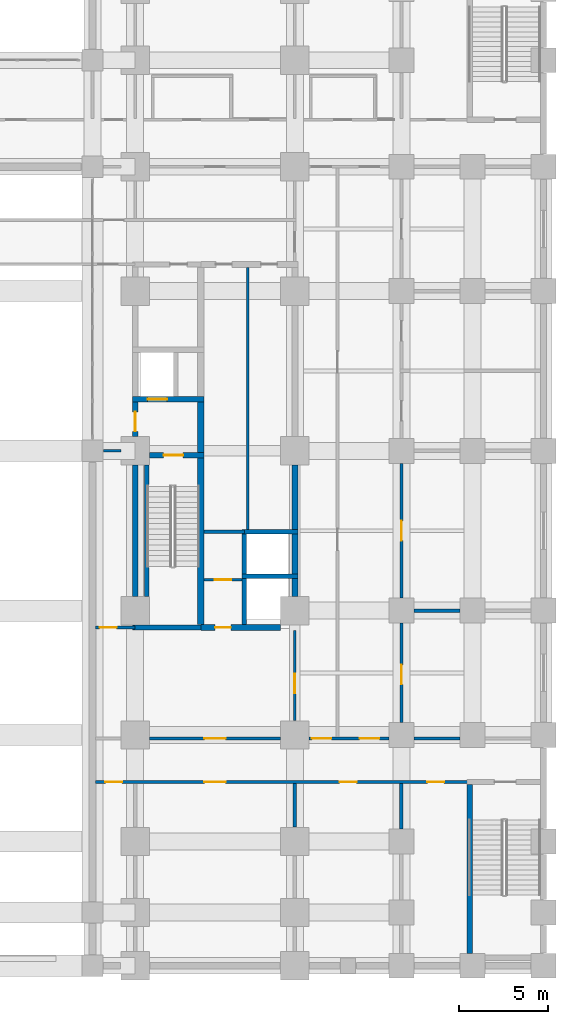
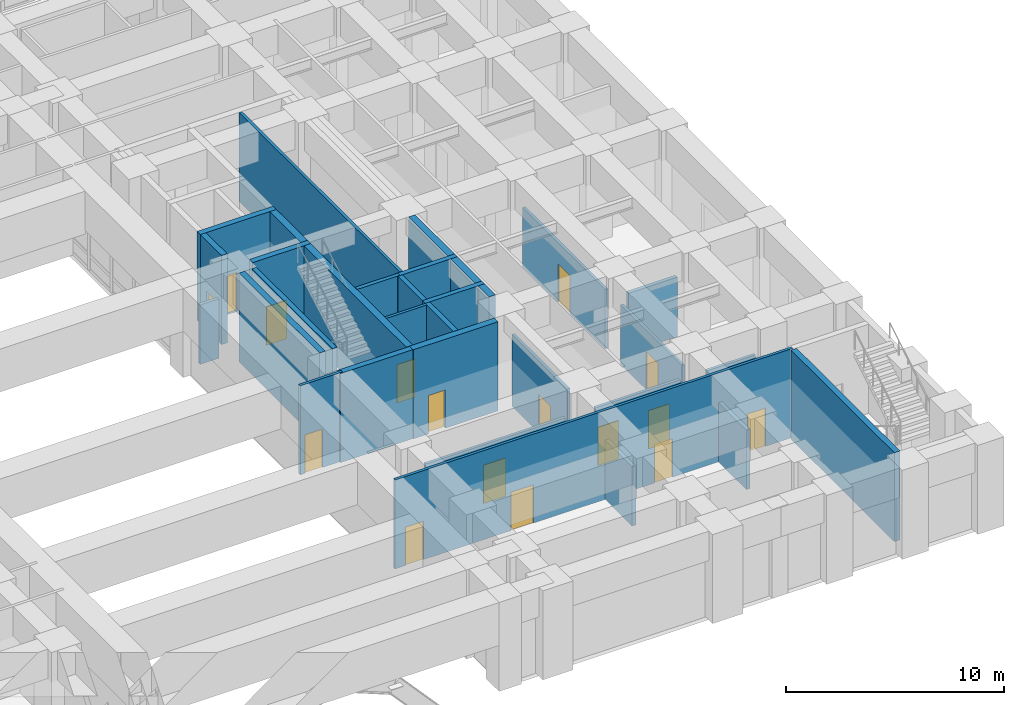
# One storey, part 13 of 24: 32 walls, 16 doors, 16 openings.
"""IFC4 building model written with IfcOpenShell, lengths in metres."""

import ifcopenshell
import ifcopenshell.guid

model = None  # the IFC model being written
_history = None  # IfcOwnerHistory: only IFC2X3 demands one
_inside = {}  # id of a spatial element -> (the spatial element, [elements in it])
_under = {}  # id of a project, library or spatial element -> (it, [spatial elements below it])
_declared = {}  # id of a project -> (the project, [libraries it declares])
_typed = {}  # id of a type object -> (the type object, [elements of that type])
_made_of = {}  # id of a material, layer set ... -> (it, [elements and type objects made of it])


def new_model(schema):
    """Start an empty IFC model of exactly this schema.

    Asked for "IFC4X3", IfcOpenShell would pick the latest addendum, in which some entities
    have other attributes; the version numbers below select the first issue.
    IFC2X3 requires an IfcOwnerHistory on every rooted entity: one is made here for all.
    """
    global model, _history
    if schema == "IFC4X3":
        model = ifcopenshell.file(schema_version=(4, 3, 0, 0))
    else:
        model = ifcopenshell.file(schema=schema)
    _inside.clear()
    _under.clear()
    _declared.clear()
    _typed.clear()
    _made_of.clear()
    _history = None
    if model.schema == "IFC2X3":
        org = make("IfcOrganization", Name="unknown")
        user = make(
            "IfcPersonAndOrganization",
            ThePerson=make("IfcPerson", FamilyName="unknown"),
            TheOrganization=org,
        )
        app = make(
            "IfcApplication",
            ApplicationDeveloper=org,
            Version="unknown",
            ApplicationFullName="unknown",
            ApplicationIdentifier="unknown",
        )
        _history = make(
            "IfcOwnerHistory",
            OwningUser=user,
            OwningApplication=app,
            ChangeAction="ADDED",
            CreationDate=0,
        )
    return model


def make(cls, **values):
    """One entity of the class cls with the attributes given. An attribute that is None is left unset."""
    return model.create_entity(
        cls, **{name: value for name, value in values.items() if value is not None}
    )


def rooted(cls, **values):
    """An entity with a GlobalId (a new one), such as an element, a storey or a relation."""
    return make(cls, GlobalId=ifcopenshell.guid.new(), OwnerHistory=_history, **values)


def si_unit(unit_type, name, prefix=None):
    """IfcSIUnit, for example si_unit("LENGTHUNIT", "METRE", prefix="MILLI")."""
    return make("IfcSIUnit", UnitType=unit_type, Prefix=prefix, Name=name)


def assignment(units):
    """IfcUnitAssignment: the units of a project."""
    return None if units is None else make("IfcUnitAssignment", Units=units)


def point(xyz):
    """IfcCartesianPoint."""
    return None if xyz is None else make("IfcCartesianPoint", Coordinates=xyz)


def direction(xyz):
    """IfcDirection."""
    return None if xyz is None else make("IfcDirection", DirectionRatios=xyz)


def frame(location, z_axis=None, x_axis=None):
    """IfcAxis2Placement3D, a coordinate frame: its origin and axes. An axis left out is left unset."""
    return make(
        "IfcAxis2Placement3D",
        Location=point(location),
        Axis=direction(z_axis),
        RefDirection=direction(x_axis),
    )


def frame_2d(location, x_axis=None):
    """IfcAxis2Placement2D, a coordinate frame in the plane: its origin and x axis."""
    return make(
        "IfcAxis2Placement2D", Location=point(location), RefDirection=direction(x_axis)
    )


def origin():
    """The frame at (0, 0, 0) with its axes left unset."""
    return frame((0.0, 0.0, 0.0))


def place(relative_to, where):
    """IfcLocalPlacement: puts the frame where relative to a parent placement (None: the world)."""
    return make(
        "IfcLocalPlacement", PlacementRelTo=relative_to, RelativePlacement=where
    )


def context(
    kind, dimensions, precision=None, world=None, true_north=None, identifier=None
):
    """IfcGeometricRepresentationContext, for example the 3D "Model" context."""
    return make(
        "IfcGeometricRepresentationContext",
        ContextIdentifier=identifier,
        ContextType=kind,
        CoordinateSpaceDimension=dimensions,
        Precision=precision,
        WorldCoordinateSystem=world,
        TrueNorth=true_north,
    )


def subcontext(parent, identifier, kind, view, scale=None):
    """IfcGeometricRepresentationSubContext, for example "Body" below "Model"."""
    return make(
        "IfcGeometricRepresentationSubContext",
        ContextIdentifier=identifier,
        ContextType=kind,
        ParentContext=parent,
        TargetScale=scale,
        TargetView=view,
    )


def project(units=None, contexts=None):
    """IfcProject with its units and contexts."""
    return rooted(
        "IfcProject",
        Name="project",
        RepresentationContexts=contexts,
        UnitsInContext=assignment(units),
    )


def spatial(cls, under=None, at=None, **own):
    """A site, building, storey or space (cls), placed at a placement, below another one or the project."""
    s = rooted(cls, ObjectPlacement=at, **own)
    if under is not None:
        _under.setdefault(under.id(), (under, []))[1].append(s)
    return s


def profile(cls, at=None, kind="AREA", **sizes):
    """A parametric profile (cls). Its sizes go by their IFC names, for example OverallWidth=200.0."""
    return make(cls, ProfileType=kind, Position=at, **sizes)


def rectangle(**sizes):
    """IfcRectangleProfileDef."""
    return profile("IfcRectangleProfileDef", **sizes)


def extrude(swept, where, along, depth):
    """IfcExtrudedAreaSolid: the profile swept, set in the frame where, extruded along a direction by depth."""
    return make(
        "IfcExtrudedAreaSolid",
        SweptArea=swept,
        Position=where,
        ExtrudedDirection=direction(along),
        Depth=depth,
    )


def shape(context_of_items, identifier, shape_type, items):
    """IfcShapeRepresentation: the items that make up one representation, for example the "Body"."""
    return make(
        "IfcShapeRepresentation",
        ContextOfItems=context_of_items,
        RepresentationIdentifier=identifier,
        RepresentationType=shape_type,
        Items=items,
    )


def material(Name=None, Category=None):
    """IfcMaterial."""
    return make("IfcMaterial", Name=Name, Category=Category)


def layer(
    of_material, thickness, ventilated=None, Name=None, Category=None, Priority=None
):
    """IfcMaterialLayer: one layer of a wall or slab, of a material (None: an air gap)."""
    return make(
        "IfcMaterialLayer",
        Material=of_material,
        LayerThickness=thickness,
        IsVentilated=ventilated,
        Name=Name,
        Category=Category,
        Priority=Priority,
    )


def layer_set(layers, Name=None):
    """IfcMaterialLayerSet."""
    return make("IfcMaterialLayerSet", MaterialLayers=layers, LayerSetName=Name)


def made_of(thing, what):
    """Note that an element or type object is made of a material, layer set ...; save() writes the relation."""
    if what is not None:
        _made_of.setdefault(what.id(), (what, []))[1].append(thing)
    return thing


def type_object(cls, material=None, **own):
    """A type object (cls), such as IfcWallType, which elements share."""
    return made_of(rooted(cls, **own), material)


def element(
    cls,
    number,
    at=None,
    inside=None,
    cuts=None,
    type_object=None,
    material=None,
    context=None,
    identifier="Body",
    shape_type=None,
    held_by="IfcProductDefinitionShape",
    body=None,
    shapes=None,
    **own,
):
    """One element of the class cls, such as IfcWall. Its Tag is "e" and its number.

    at: its placement. inside: the storey or other place that contains it. cuts: it is an
    opening in that element (IfcRelVoidsElement). A single representation is given by context,
    identifier, shape_type and body (its items); several are given by shapes. held_by: the class
    of the entity that holds the representations. save() writes the other relations.
    """
    e = rooted(cls, Tag="e%d" % number, ObjectPlacement=at, **own)
    if body is not None:
        shapes = [shape(context, identifier, shape_type, body)]
    if shapes is not None:
        e.Representation = make(held_by, Representations=shapes)
    if inside is not None:
        _inside.setdefault(inside.id(), (inside, []))[1].append(e)
    if cuts is not None:
        rooted(
            "IfcRelVoidsElement", RelatingBuildingElement=cuts, RelatedOpeningElement=e
        )
    if type_object is not None:
        _typed.setdefault(type_object.id(), (type_object, []))[1].append(e)
    return made_of(e, material)


def fill(opening, filler):
    """IfcRelFillsElement: the door or window that sits in an opening."""
    return rooted(
        "IfcRelFillsElement",
        RelatingOpeningElement=opening,
        RelatedBuildingElement=filler,
    )


def aggregate(whole, parts):
    """IfcRelAggregates: a whole, such as a stair, and the parts it consists of."""
    return rooted("IfcRelAggregates", RelatingObject=whole, RelatedObjects=parts)


def save(model, path):
    """Write the relations noted so far, then the file.

    IfcRelAggregates (storeys below a building ...), IfcRelContainedInSpatialStructure (elements
    in a storey), IfcRelDefinesByType, IfcRelAssociatesMaterial and IfcRelDeclares: one each for
    every whole, place, type object, material and project.
    """
    for whole, parts in _under.values():
        aggregate(whole, parts)
    for where, things in _inside.values():
        rooted(
            "IfcRelContainedInSpatialStructure",
            RelatedElements=things,
            RelatingStructure=where,
        )
    for kind, things in _typed.values():
        rooted("IfcRelDefinesByType", RelatedObjects=things, RelatingType=kind)
    for what, things in _made_of.values():
        rooted("IfcRelAssociatesMaterial", RelatedObjects=things, RelatingMaterial=what)
    for by, libraries in _declared.values():
        rooted("IfcRelDeclares", RelatingContext=by, RelatedDefinitions=libraries)
    model.write(path)


model = new_model("IFC4")

# Units and contexts
model_context = context("Model", 3, precision=1e-05, world=origin(), true_north=direction((0.0, 1.0)))
body_context = subcontext(model_context, "Body", "Model", "MODEL_VIEW")
ifc_project = project(units=[si_unit("LENGTHUNIT", "METRE"), si_unit("AREAUNIT", "SQUARE_METRE"), si_unit("VOLUMEUNIT", "CUBIC_METRE"), si_unit("PLANEANGLEUNIT", "RADIAN"), si_unit("MASSUNIT", "GRAM", prefix="KILO")], contexts=[model_context])

# Site, building, storey
site_placement = place(None, origin())
site = spatial("IfcSite", under=ifc_project, at=site_placement, CompositionType="ELEMENT")
building_placement = place(site_placement, origin())
building = spatial("IfcBuilding", under=site, at=building_placement, Name="Zulmaris Gate Convention Tower", CompositionType="ELEMENT")
storey_placement = place(building_placement, frame((0.0, 0.0, 16.320068359375)))
storey = spatial("IfcBuildingStorey", under=building, at=storey_placement, Name="L03", CompositionType="ELEMENT", Elevation=16.320068359375)

# Walls
ifc_material_1 = material(Name="Concrete C50/60", Category="concrete")
ifc_layer_1 = layer(ifc_material_1, 0.25, Name="Concrete C50/60")
ifc_layer_set_1 = layer_set([ifc_layer_1], Name="Concrete C50/60")
wall_type_1 = type_object("IfcWallType", Name="CORE-250", PredefinedType="SOLIDWALL", material=ifc_layer_set_1)
for number, where, z_axis, x_axis, name in (
    (1, (17.02490234375, -7.050048828125, 0.0), (0.0, 0.0, 1.0), (1.0, 0.0, 0.0), "WL-L03-010"),
    (2, (17.02490234375, -4.550048828125, 0.0), (0.0, 0.0, 1.0), (1.0, 0.0, 0.0), "WL-L03-012"),
):
    element("IfcWall", number, at=place(storey_placement, frame(where, z_axis=z_axis, x_axis=x_axis)), inside=storey, type_object=wall_type_1, Name=name, PredefinedType="SOLIDWALL", context=body_context, shape_type="SweptSolid", body=[
        extrude(rectangle(XDim=3.150146484375, YDim=0.25, at=frame_2d((1.5751953125, 0.0))), origin(), (0.0, 0.0, 1.0), 4.989990234375),
    ])
wall_1_placement = place(storey_placement, frame((11.64990234375, -8.196044921875, 0.0), z_axis=(0.0, 0.0, 1.0), x_axis=(0.0, 1.0, 0.0)))
element("IfcWall", 3, at=wall_1_placement, inside=storey, type_object=wall_type_1, Name="WL-L03-097", PredefinedType="SOLIDWALL", context=body_context, shape_type="SweptSolid", body=[
    extrude(rectangle(XDim=7.39208984375, YDim=0.25, at=frame_2d((3.696044921875, 0.0))), origin(), (0.0, 0.0, 1.0), 4.989990234375),
])
wall_2_placement = place(storey_placement, frame((17.14990234375, -9.77294921875, 0.0), z_axis=(0.0, 0.0, 1.0), x_axis=(0.0, 1.0, 0.0)))
element("IfcWall", 4, at=wall_2_placement, inside=storey, type_object=wall_type_1, Name="WL-L03-103", PredefinedType="SOLIDWALL", context=body_context, shape_type="SweptSolid", body=[
    extrude(rectangle(XDim=2.595947265625, YDim=0.25, at=frame_2d((1.2978515625, 0.0))), origin(), (0.0, 0.0, 1.0), 4.989990234375),
])
wall_3_placement = place(storey_placement, frame((17.14990234375, -6.923095703125, 0.0), z_axis=(0.0, 0.0, 1.0), x_axis=(0.0, 1.0, 0.0)))
element("IfcWall", 5, at=wall_3_placement, inside=storey, type_object=wall_type_1, Name="WL-L03-104", PredefinedType="SOLIDWALL", context=body_context, shape_type="SweptSolid", body=[
    extrude(rectangle(XDim=2.24609375, YDim=0.25, at=frame_2d((1.123046875, 0.0))), origin(), (0.0, 0.0, 1.0), 4.989990234375),
])
ifc_layer_2 = layer(ifc_material_1, 0.300048828125, Name="Concrete C50/60")
ifc_layer_set_2 = layer_set([ifc_layer_2], Name="Concrete C50/60")
wall_type_2 = type_object("IfcWallType", Name="CORE-300", PredefinedType="SHEAR", material=ifc_layer_set_2)
wall_4_placement = place(storey_placement, frame((10.85009765625, -9.949951171875, 0.0), z_axis=(0.0, 0.0, 1.0), x_axis=(1.0, 0.0, 0.0)))
element("IfcWall", 6, at=wall_4_placement, inside=storey, type_object=wall_type_2, Name="WL-L03-007", PredefinedType="SHEAR", context=body_context, shape_type="SweptSolid", body=[
    extrude(rectangle(XDim=3.849853515625, YDim=0.300048828125, at=frame_2d((1.9248046875, 0.0))), origin(), (0.0, 0.0, 1.0), 4.989990234375),
])

# Wall, opening, door
wall_5_placement = place(storey_placement, frame((11.803955078125, -0.25, 0.0), z_axis=(0.0, 0.0, 1.0), x_axis=(1.0, 0.0, 0.0)))
wall_5 = element("IfcWall", 7, at=wall_5_placement, inside=storey, type_object=wall_type_2, Name="WL-L03-015", PredefinedType="SHEAR", context=body_context, shape_type="SweptSolid", body=[
    extrude(rectangle(XDim=3.071044921875, YDim=0.300048828125, at=frame_2d((1.53564453125, 0.0))), origin(), (0.0, 0.0, 1.0), 4.989990234375),
])
opening_1_placement = place(wall_5_placement, frame((0.7958984375, 0.0, 0.0)))
opening_1 = element("IfcOpeningElement", 8, at=opening_1_placement, cuts=wall_5, Name="Opening D-08", PredefinedType="OPENING", context=body_context, shape_type="SweptSolid", body=[
    extrude(rectangle(XDim=1.10009765625, YDim=2.14990234375, at=frame_2d((0.550048828125, 1.074951171875))), frame((0.0, 0.16015625, 0.0), z_axis=(0.0, -1.0, 0.0), x_axis=(1.0, 0.0, 0.0)), (0.0, 0.0, 1.0), 0.320068359375),
])
ifc_material_2 = material(Name="Fire-Rated Steel", Category="steel")
door_type_1 = type_object("IfcDoorType", Name="DR-1100-FD", OperationType="NOTDEFINED", PredefinedType="DOOR", material=ifc_material_2)
door_1_placement = place(opening_1_placement, origin())
door_1 = element("IfcDoor", 9, at=door_1_placement, inside=storey, type_object=door_type_1, Name="L03 Exit Stair ST-2 Door 04", OperationType="SINGLE_SWING_LEFT", OverallHeight=2.14990234375, OverallWidth=1.10009765625, PredefinedType="DOOR", context=body_context, shape_type="SweptSolid", body=[
    extrude(rectangle(XDim=1.10009765625, YDim=2.14990234375, at=frame_2d((0.550048828125, 1.074951171875))), frame((0.0, 0.02490234375, 0.0), z_axis=(0.0, -1.0, 0.0), x_axis=(1.0, 0.0, 0.0)), (0.0, 0.0, 1.0), 0.050048828125),
])
fill(opening_1, door_1)

wall_6_placement = place(storey_placement, frame((10.85009765625, 2.89990234375, 0.0), z_axis=(0.0, 0.0, 1.0), x_axis=(1.0, 0.0, 0.0)))
wall_6 = element("IfcWall", 10, at=wall_6_placement, inside=storey, type_object=wall_type_2, Name="WL-L03-018", PredefinedType="SHEAR", context=body_context, shape_type="SweptSolid", body=[
    extrude(rectangle(XDim=4.02490234375, YDim=0.300048828125, at=frame_2d((2.012451171875, 0.0))), origin(), (0.0, 0.0, 1.0), 4.989990234375),
])
opening_2_placement = place(wall_6_placement, frame((0.85009765625, 0.0, 0.0)))
opening_2 = element("IfcOpeningElement", 11, at=opening_2_placement, cuts=wall_6, Name="Opening D-06", PredefinedType="OPENING", context=body_context, shape_type="SweptSolid", body=[
    extrude(rectangle(XDim=1.10009765625, YDim=2.199951171875, at=frame_2d((0.550048828125, 1.10009765625))), frame((0.0, 0.16015625, 0.0), z_axis=(0.0, -1.0, 0.0), x_axis=(1.0, 0.0, 0.0)), (0.0, 0.0, 1.0), 0.320068359375),
])
ifc_material_3 = material(Name="Brushed Stainless Steel", Category="steel")
door_type_2 = type_object("IfcDoorType", Name="LD-1100", OperationType="NOTDEFINED", PredefinedType="DOOR", material=ifc_material_3)
door_2_placement = place(opening_2_placement, origin())
door_2 = element("IfcDoor", 12, at=door_2_placement, inside=storey, type_object=door_type_2, Name="L03 Lift Landing Door LF-02 06", OperationType="SLIDING_TO_RIGHT", OverallHeight=2.199951171875, OverallWidth=1.10009765625, PredefinedType="DOOR", context=body_context, shape_type="SweptSolid", body=[
    extrude(rectangle(XDim=1.10009765625, YDim=2.199951171875, at=frame_2d((0.550048828125, 1.10009765625))), frame((0.0, 0.02490234375, 0.0), z_axis=(0.0, -1.0, 0.0), x_axis=(1.0, 0.0, 0.0)), (0.0, 0.0, 1.0), 0.050048828125),
])
fill(opening_2, door_2)

# Wall
wall_7_placement = place(storey_placement, frame((11.0, -8.196044921875, 0.0), z_axis=(0.0, 0.0, 1.0), x_axis=(0.0, 1.0, 0.0)))
element("IfcWall", 13, at=wall_7_placement, inside=storey, type_object=wall_type_2, Name="WL-L03-093", PredefinedType="SHEAR", context=body_context, shape_type="SweptSolid", body=[
    extrude(rectangle(XDim=7.39208984375, YDim=0.300048828125, at=frame_2d((3.696044921875, 0.0))), origin(), (0.0, 0.0, 1.0), 4.989990234375),
])

# Wall, opening, door
wall_8_placement = place(storey_placement, frame((11.0, 0.803955078125, 0.0), z_axis=(0.0, 0.0, 1.0), x_axis=(0.0, 1.0, 0.0)))
wall_8 = element("IfcWall", 14, at=wall_8_placement, inside=storey, type_object=wall_type_2, Name="WL-L03-094", PredefinedType="SHEAR", context=body_context, shape_type="SweptSolid", body=[
    extrude(rectangle(XDim=1.944091796875, YDim=0.300048828125, at=frame_2d((0.97216796875, 0.0))), origin(), (0.0, 0.0, 1.0), 4.989990234375),
])
opening_3_placement = place(wall_8_placement, frame((0.2958984375, 0.0, 0.0)))
opening_3 = element("IfcOpeningElement", 15, at=opening_3_placement, cuts=wall_8, Name="Opening D-08", PredefinedType="OPENING", context=body_context, shape_type="SweptSolid", body=[
    extrude(rectangle(XDim=1.10009765625, YDim=2.14990234375, at=frame_2d((0.550048828125, 1.074951171875))), frame((0.0, 0.16015625, 0.0), z_axis=(0.0, -1.0, 0.0), x_axis=(1.0, 0.0, 0.0)), (0.0, 0.0, 1.0), 0.320068359375),
])
door_3_placement = place(opening_3_placement, origin())
door_3 = element("IfcDoor", 16, at=door_3_placement, inside=storey, type_object=door_type_1, Name="L03 East Firefighting Lobby Door 05", OperationType="SINGLE_SWING_RIGHT", OverallHeight=2.14990234375, OverallWidth=1.10009765625, PredefinedType="DOOR", context=body_context, shape_type="SweptSolid", body=[
    extrude(rectangle(XDim=1.10009765625, YDim=2.14990234375, at=frame_2d((0.550048828125, 1.074951171875))), frame((0.0, 0.02490234375, 0.0), z_axis=(0.0, -1.0, 0.0), x_axis=(1.0, 0.0, 0.0)), (0.0, 0.0, 1.0), 0.050048828125),
])
fill(opening_3, door_3)

# Wall
wall_9_placement = place(storey_placement, frame((29.85009765625, -28.2958984375, 0.0), z_axis=(0.0, 0.0, 1.0), x_axis=(0.0, 1.0, 0.0)))
element("IfcWall", 17, at=wall_9_placement, inside=storey, type_object=wall_type_2, Name="WL-L03-108", PredefinedType="SHEAR", context=body_context, shape_type="SweptSolid", body=[
    extrude(rectangle(XDim=9.493896484375, YDim=0.300048828125, at=frame_2d((4.7470703125, 0.0))), origin(), (0.0, 0.0, 1.0), 4.989990234375),
])

# Wall, opening, door
ifc_material_4 = material(Name="Concrete C55/67", Category="concrete")
ifc_layer_3 = layer(ifc_material_4, 0.35009765625, Name="Concrete C55/67")
ifc_layer_set_3 = layer_set([ifc_layer_3], Name="Concrete C55/67")
wall_type_3 = type_object("IfcWallType", Name="CORE-350", PredefinedType="SHEAR", material=ifc_layer_set_3)
wall_10_placement = place(storey_placement, frame((14.699951171875, -9.949951171875, 0.0), z_axis=(0.0, 0.0, 1.0), x_axis=(1.0, 0.0, 0.0)))
wall_10 = element("IfcWall", 18, at=wall_10_placement, inside=storey, type_object=wall_type_3, Name="WL-L03-008", PredefinedType="SHEAR", context=body_context, shape_type="SweptSolid", body=[
    extrude(rectangle(XDim=4.49609375, YDim=0.35009765625, at=frame_2d((2.248046875, 0.0))), origin(), (0.0, 0.0, 1.0), 4.989990234375),
])
opening_4_placement = place(wall_10_placement, frame((0.800048828125, 0.0, 0.0)))
opening_4 = element("IfcOpeningElement", 19, at=opening_4_placement, cuts=wall_10, Name="Opening D-12", PredefinedType="OPENING", context=body_context, shape_type="SweptSolid", body=[
    extrude(rectangle(XDim=0.89990234375, YDim=2.14990234375, at=frame_2d((0.449951171875, 1.074951171875))), frame((0.0, 0.18505859375, 0.0), z_axis=(0.0, -1.0, 0.0), x_axis=(1.0, 0.0, 0.0)), (0.0, 0.0, 1.0), 0.3701171875),
])
ifc_material_5 = material(Name="Fire-Rated Timber", Category="wood")
door_type_3 = type_object("IfcDoorType", Name="DR-900-FD", OperationType="NOTDEFINED", PredefinedType="DOOR", material=ifc_material_5)
door_4_placement = place(opening_4_placement, origin())
door_4 = element("IfcDoor", 20, at=door_4_placement, inside=storey, type_object=door_type_3, Name="L03 East Cleaners Store Door 16", OperationType="SINGLE_SWING_RIGHT", OverallHeight=2.14990234375, OverallWidth=0.89990234375, PredefinedType="DOOR", context=body_context, shape_type="SweptSolid", body=[
    extrude(rectangle(XDim=0.89990234375, YDim=2.14990234375, at=frame_2d((0.449951171875, 1.074951171875))), frame((0.0, 0.02490234375, 0.0), z_axis=(0.0, -1.0, 0.0), x_axis=(1.0, 0.0, 0.0)), (0.0, 0.0, 1.0), 0.050048828125),
])
fill(opening_4, door_4)

# Walls
wall_11_placement = place(storey_placement, frame((14.699951171875, -9.77294921875, 0.0), z_axis=(0.0, 0.0, 1.0), x_axis=(0.0, 1.0, 0.0)))
element("IfcWall", 21, at=wall_11_placement, inside=storey, type_object=wall_type_3, Name="WL-L03-099", PredefinedType="SHEAR", context=body_context, shape_type="SweptSolid", body=[
    extrude(rectangle(XDim=9.370849609375, YDim=0.35009765625, at=frame_2d((4.685546875, 0.0))), origin(), (0.0, 0.0, 1.0), 4.989990234375),
])
wall_12_placement = place(storey_placement, frame((14.699951171875, -0.097900390625, 0.0), z_axis=(0.0, 0.0, 1.0), x_axis=(0.0, 1.0, 0.0)))
element("IfcWall", 22, at=wall_12_placement, inside=storey, type_object=wall_type_3, Name="WL-L03-100", PredefinedType="SHEAR", context=body_context, shape_type="SweptSolid", body=[
    extrude(rectangle(XDim=2.845947265625, YDim=0.35009765625, at=frame_2d((1.4228515625, 0.0))), origin(), (0.0, 0.0, 1.0), 4.989990234375),
])
wall_13_placement = place(storey_placement, frame((20.0, -8.196044921875, 0.0), z_axis=(0.0, 0.0, 1.0), x_axis=(0.0, 1.0, 0.0)))
element("IfcWall", 23, at=wall_13_placement, inside=storey, type_object=wall_type_3, Name="WL-L03-105", PredefinedType="SHEAR", context=body_context, shape_type="SweptSolid", body=[
    extrude(rectangle(XDim=1.01904296875, YDim=0.35009765625, at=frame_2d((0.509521484375, 0.0))), origin(), (0.0, 0.0, 1.0), 4.989990234375),
])
wall_14_placement = place(storey_placement, frame((20.0, -6.923095703125, 0.0), z_axis=(0.0, 0.0, 1.0), x_axis=(0.0, 1.0, 0.0)))
element("IfcWall", 24, at=wall_14_placement, inside=storey, type_object=wall_type_3, Name="WL-L03-106", PredefinedType="SHEAR", context=body_context, shape_type="SweptSolid", body=[
    extrude(rectangle(XDim=2.24609375, YDim=0.35009765625, at=frame_2d((1.123046875, 0.0))), origin(), (0.0, 0.0, 1.0), 4.989990234375),
])
wall_15_placement = place(storey_placement, frame((20.0, -4.423095703125, 0.0), z_axis=(0.0, 0.0, 1.0), x_axis=(0.0, 1.0, 0.0)))
element("IfcWall", 25, at=wall_15_placement, inside=storey, type_object=wall_type_3, Name="WL-L03-107", PredefinedType="SHEAR", context=body_context, shape_type="SweptSolid", body=[
    extrude(rectangle(XDim=3.619140625, YDim=0.35009765625, at=frame_2d((1.8095703125, 0.0))), origin(), (0.0, 0.0, 1.0), 4.989990234375),
])

# Wall, openings, doors
ifc_material_6 = material(Name="Gypsum Metal Stud Partition")
ifc_layer_4 = layer(ifc_material_6, 0.14990234375, Name="Gypsum Metal Stud Partition")
ifc_layer_set_4 = layer_set([ifc_layer_4], Name="Gypsum Metal Stud Partition")
wall_type_4 = type_object("IfcWallType", Name="PART-150", PredefinedType="PARTITIONING", material=ifc_layer_set_4)
wall_16_placement = place(storey_placement, frame((8.764892578125, -18.64990234375, 0.0), z_axis=(0.0, 0.0, 1.0), x_axis=(1.0, 0.0, 0.0)))
wall_16 = element("IfcWall", 26, at=wall_16_placement, inside=storey, type_object=wall_type_4, Name="WL-L03-031", PredefinedType="PARTITIONING", context=body_context, shape_type="SweptSolid", body=[
    extrude(rectangle(XDim=21.085205078125, YDim=0.14990234375, at=frame_2d((10.54248046875, 0.0))), origin(), (0.0, 0.0, 1.0), 4.989990234375),
])
opening_5_placement = place(wall_16_placement, frame((0.56005859375, 0.0, 0.0)))
opening_5 = element("IfcOpeningElement", 27, at=opening_5_placement, cuts=wall_16, Name="Opening D-11", PredefinedType="OPENING", context=body_context, shape_type="SweptSolid", body=[
    extrude(rectangle(XDim=0.949951171875, YDim=2.14990234375, at=frame_2d((0.47509765625, 1.074951171875))), frame((0.0, 0.0849609375, 0.0), z_axis=(0.0, -1.0, 0.0), x_axis=(1.0, 0.0, 0.0)), (0.0, 0.0, 1.0), 0.169921875),
])
opening_6_placement = place(wall_16_placement, frame((6.135009765625, 0.0, 0.0)))
opening_6 = element("IfcOpeningElement", 28, at=opening_6_placement, cuts=wall_16, Name="Opening D-13", PredefinedType="OPENING", context=body_context, shape_type="SweptSolid", body=[
    extrude(rectangle(XDim=1.199951171875, YDim=2.14990234375, at=frame_2d((0.60009765625, 1.074951171875))), frame((0.0, 0.0849609375, 0.0), z_axis=(0.0, -1.0, 0.0), x_axis=(1.0, 0.0, 0.0)), (0.0, 0.0, 1.0), 0.169921875),
])
opening_7_placement = place(wall_16_placement, frame((13.760009765625, 0.0, 0.0)))
opening_7 = element("IfcOpeningElement", 29, at=opening_7_placement, cuts=wall_16, Name="Opening D-11", PredefinedType="OPENING", context=body_context, shape_type="SweptSolid", body=[
    extrude(rectangle(XDim=0.949951171875, YDim=2.14990234375, at=frame_2d((0.47509765625, 1.074951171875))), frame((0.0, 0.0849609375, 0.0), z_axis=(0.0, -1.0, 0.0), x_axis=(1.0, 0.0, 0.0)), (0.0, 0.0, 1.0), 0.169921875),
])
opening_8_placement = place(wall_16_placement, frame((18.68994140625, 0.0, 0.0)))
opening_8 = element("IfcOpeningElement", 30, at=opening_8_placement, cuts=wall_16, Name="Opening D-11", PredefinedType="OPENING", context=body_context, shape_type="SweptSolid", body=[
    extrude(rectangle(XDim=0.949951171875, YDim=2.14990234375, at=frame_2d((0.47509765625, 1.074951171875))), frame((0.0, 0.0849609375, 0.0), z_axis=(0.0, -1.0, 0.0), x_axis=(1.0, 0.0, 0.0)), (0.0, 0.0, 1.0), 0.169921875),
])
door_type_4 = type_object("IfcDoorType", Name="DR-1200-FD", OperationType="NOTDEFINED", PredefinedType="DOOR", material=ifc_material_2)
door_5_placement = place(opening_6_placement, origin())
door_5 = element("IfcDoor", 31, at=door_5_placement, inside=storey, type_object=door_type_4, Name="L03 South-East Convention Hall Door 86", OperationType="SINGLE_SWING_RIGHT", OverallHeight=2.14990234375, OverallWidth=1.199951171875, PredefinedType="DOOR", context=body_context, shape_type="SweptSolid", body=[
    extrude(rectangle(XDim=1.199951171875, YDim=2.14990234375, at=frame_2d((0.60009765625, 1.074951171875))), frame((0.0, 0.02490234375, 0.0), z_axis=(0.0, -1.0, 0.0), x_axis=(1.0, 0.0, 0.0)), (0.0, 0.0, 1.0), 0.050048828125),
])
fill(opening_6, door_5)
door_type_5 = type_object("IfcDoorType", Name="DR-950-FD", OperationType="NOTDEFINED", PredefinedType="DOOR", material=ifc_material_5)
door_6_placement = place(opening_5_placement, origin())
door_6 = element("IfcDoor", 32, at=door_6_placement, inside=storey, type_object=door_type_5, Name="L03 South-East Chair Store Door 85", OperationType="SINGLE_SWING_LEFT", OverallHeight=2.14990234375, OverallWidth=0.949951171875, PredefinedType="DOOR", context=body_context, shape_type="SweptSolid", body=[
    extrude(rectangle(XDim=0.949951171875, YDim=2.14990234375, at=frame_2d((0.47509765625, 1.074951171875))), frame((0.0, 0.02490234375, 0.0), z_axis=(0.0, -1.0, 0.0), x_axis=(1.0, 0.0, 0.0)), (0.0, 0.0, 1.0), 0.050048828125),
])
fill(opening_5, door_6)
door_7_placement = place(opening_7_placement, origin())
door_7 = element("IfcDoor", 33, at=door_7_placement, inside=storey, type_object=door_type_5, Name="L03 South-East Seminar Room Door 87", OperationType="SINGLE_SWING_LEFT", OverallHeight=2.14990234375, OverallWidth=0.949951171875, PredefinedType="DOOR", context=body_context, shape_type="SweptSolid", body=[
    extrude(rectangle(XDim=0.949951171875, YDim=2.14990234375, at=frame_2d((0.47509765625, 1.074951171875))), frame((0.0, 0.02490234375, 0.0), z_axis=(0.0, -1.0, 0.0), x_axis=(1.0, 0.0, 0.0)), (0.0, 0.0, 1.0), 0.050048828125),
])
fill(opening_7, door_7)
door_8_placement = place(opening_8_placement, origin())
door_8 = element("IfcDoor", 34, at=door_8_placement, inside=storey, type_object=door_type_5, Name="L03 Interpreter Booth Office Door 88", OperationType="SINGLE_SWING_RIGHT", OverallHeight=2.14990234375, OverallWidth=0.949951171875, PredefinedType="DOOR", context=body_context, shape_type="SweptSolid", body=[
    extrude(rectangle(XDim=0.949951171875, YDim=2.14990234375, at=frame_2d((0.47509765625, 1.074951171875))), frame((0.0, 0.02490234375, 0.0), z_axis=(0.0, -1.0, 0.0), x_axis=(1.0, 0.0, 0.0)), (0.0, 0.0, 1.0), 0.050048828125),
])
fill(opening_8, door_8)

# Wall, opening, door
wall_17_placement = place(storey_placement, frame((11.805908203125, -16.199951171875, 0.0), z_axis=(0.0, 0.0, 1.0), x_axis=(1.0, 0.0, 0.0)))
wall_17 = element("IfcWall", 35, at=wall_17_placement, inside=storey, type_object=wall_type_4, Name="WL-L03-033S1", PredefinedType="PARTITIONING", context=body_context, shape_type="SweptSolid", body=[
    extrude(rectangle(XDim=7.38818359375, YDim=0.14990234375, at=frame_2d((3.694091796875, 0.0))), origin(), (0.0, 0.0, 1.0), 3.33203125),
])
opening_9_placement = place(wall_17_placement, frame((3.093994140625, 0.0, 0.0)))
opening_9 = element("IfcOpeningElement", 36, at=opening_9_placement, cuts=wall_17, Name="Opening D-13", PredefinedType="OPENING", context=body_context, shape_type="SweptSolid", body=[
    extrude(rectangle(XDim=1.199951171875, YDim=2.14990234375, at=frame_2d((0.60009765625, 1.074951171875))), frame((0.0, 0.0849609375, 0.0), z_axis=(0.0, -1.0, 0.0), x_axis=(1.0, 0.0, 0.0)), (0.0, 0.0, 1.0), 0.169921875),
])
door_9_placement = place(opening_9_placement, origin())
door_9 = element("IfcDoor", 37, at=door_9_placement, inside=storey, type_object=door_type_4, Name="L03 SE Stair Link Door 46", OperationType="SINGLE_SWING_RIGHT", OverallHeight=2.14990234375, OverallWidth=1.199951171875, PredefinedType="DOOR", context=body_context, shape_type="SweptSolid", body=[
    extrude(rectangle(XDim=1.199951171875, YDim=2.14990234375, at=frame_2d((0.60009765625, 1.074951171875))), frame((0.0, 0.02490234375, 0.0), z_axis=(0.0, -1.0, 0.0), x_axis=(1.0, 0.0, 0.0)), (0.0, 0.0, 1.0), 0.050048828125),
])
fill(opening_9, door_9)

# Wall, openings, doors
wall_18_placement = place(storey_placement, frame((20.805908203125, -16.199951171875, 0.0), z_axis=(0.0, 0.0, 1.0), x_axis=(1.0, 0.0, 0.0)))
wall_18 = element("IfcWall", 38, at=wall_18_placement, inside=storey, type_object=wall_type_4, Name="WL-L03-033S2", PredefinedType="PARTITIONING", context=body_context, shape_type="SweptSolid", body=[
    extrude(rectangle(XDim=4.488037109375, YDim=0.14990234375, at=frame_2d((2.244140625, 0.0))), origin(), (0.0, 0.0, 1.0), 3.33203125),
])
opening_10_placement = place(wall_18_placement, frame((0.14990234375, 0.0, 0.0)))
opening_10 = element("IfcOpeningElement", 39, at=opening_10_placement, cuts=wall_18, Name="Opening D-08", PredefinedType="OPENING", context=body_context, shape_type="SweptSolid", body=[
    extrude(rectangle(XDim=1.10009765625, YDim=2.14990234375, at=frame_2d((0.550048828125, 1.074951171875))), frame((0.0, 0.0849609375, 0.0), z_axis=(0.0, -1.0, 0.0), x_axis=(1.0, 0.0, 0.0)), (0.0, 0.0, 1.0), 0.169921875),
])
opening_11_placement = place(wall_18_placement, frame((2.843994140625, 0.0, 0.0)))
opening_11 = element("IfcOpeningElement", 40, at=opening_11_placement, cuts=wall_18, Name="Opening D-08", PredefinedType="OPENING", context=body_context, shape_type="SweptSolid", body=[
    extrude(rectangle(XDim=1.10009765625, YDim=2.14990234375, at=frame_2d((0.550048828125, 1.074951171875))), frame((0.0, 0.0849609375, 0.0), z_axis=(0.0, -1.0, 0.0), x_axis=(1.0, 0.0, 0.0)), (0.0, 0.0, 1.0), 0.169921875),
])
door_10_placement = place(opening_10_placement, origin())
door_10 = element("IfcDoor", 41, at=door_10_placement, inside=storey, type_object=door_type_1, Name="L03 East Exit South Door 47", OperationType="SINGLE_SWING_LEFT", OverallHeight=2.14990234375, OverallWidth=1.10009765625, PredefinedType="DOOR", context=body_context, shape_type="SweptSolid", body=[
    extrude(rectangle(XDim=1.10009765625, YDim=2.14990234375, at=frame_2d((0.550048828125, 1.074951171875))), frame((0.0, 0.02490234375, 0.0), z_axis=(0.0, -1.0, 0.0), x_axis=(1.0, 0.0, 0.0)), (0.0, 0.0, 1.0), 0.050048828125),
])
fill(opening_10, door_10)
door_11_placement = place(opening_11_placement, origin())
door_11 = element("IfcDoor", 42, at=door_11_placement, inside=storey, type_object=door_type_1, Name="L03 East Promenade Stair Door 74", OperationType="SINGLE_SWING_RIGHT", OverallHeight=2.14990234375, OverallWidth=1.10009765625, PredefinedType="DOOR", context=body_context, shape_type="SweptSolid", body=[
    extrude(rectangle(XDim=1.10009765625, YDim=2.14990234375, at=frame_2d((0.550048828125, 1.074951171875))), frame((0.0, 0.02490234375, 0.0), z_axis=(0.0, -1.0, 0.0), x_axis=(1.0, 0.0, 0.0)), (0.0, 0.0, 1.0), 0.050048828125),
])
fill(opening_11, door_11)

# Wall
wall_19_placement = place(storey_placement, frame((26.7060546875, -16.199951171875, 0.0), z_axis=(0.0, 0.0, 1.0), x_axis=(1.0, 0.0, 0.0)))
element("IfcWall", 43, at=wall_19_placement, inside=storey, type_object=wall_type_4, Name="WL-L03-033S3", PredefinedType="PARTITIONING", context=body_context, shape_type="SweptSolid", body=[
    extrude(rectangle(XDim=2.587890625, YDim=0.14990234375, at=frame_2d((1.2939453125, 0.0))), origin(), (0.0, 0.0, 1.0), 3.33203125),
])

# Wall, opening, door
wall_20_placement = place(storey_placement, frame((8.764892578125, -9.949951171875, 0.0), z_axis=(0.0, 0.0, 1.0), x_axis=(1.0, 0.0, 0.0)))
wall_20 = element("IfcWall", 44, at=wall_20_placement, inside=storey, type_object=wall_type_4, Name="WL-L03-036", PredefinedType="PARTITIONING", context=body_context, shape_type="SweptSolid", body=[
    extrude(rectangle(XDim=2.235107421875, YDim=0.14990234375, at=frame_2d((1.11767578125, 0.0))), origin(), (0.0, 0.0, 1.0), 4.989990234375),
])
opening_12_placement = place(wall_20_placement, frame((0.239990234375, 0.0, 0.0)))
opening_12 = element("IfcOpeningElement", 45, at=opening_12_placement, cuts=wall_20, Name="Opening D-11", PredefinedType="OPENING", context=body_context, shape_type="SweptSolid", body=[
    extrude(rectangle(XDim=0.949951171875, YDim=2.14990234375, at=frame_2d((0.47509765625, 1.074951171875))), frame((0.0, 0.0849609375, 0.0), z_axis=(0.0, -1.0, 0.0), x_axis=(1.0, 0.0, 0.0)), (0.0, 0.0, 1.0), 0.169921875),
])
door_12_placement = place(opening_12_placement, origin())
door_12 = element("IfcDoor", 46, at=door_12_placement, inside=storey, type_object=door_type_5, Name="L03 SE Arch Store Door 27", OperationType="SINGLE_SWING_LEFT", OverallHeight=2.14990234375, OverallWidth=0.949951171875, PredefinedType="DOOR", context=body_context, shape_type="SweptSolid", body=[
    extrude(rectangle(XDim=0.949951171875, YDim=2.14990234375, at=frame_2d((0.47509765625, 1.074951171875))), frame((0.0, 0.02490234375, 0.0), z_axis=(0.0, -1.0, 0.0), x_axis=(1.0, 0.0, 0.0)), (0.0, 0.0, 1.0), 0.050048828125),
])
fill(opening_12, door_12)

wall_21_placement = place(storey_placement, frame((14.8779296875, -7.25, 0.0), z_axis=(0.0, 0.0, 1.0), x_axis=(1.0, 0.0, 0.0)))
wall_21 = element("IfcWall", 47, at=wall_21_placement, inside=storey, type_object=wall_type_4, Name="WL-L03-039", PredefinedType="PARTITIONING", context=body_context, shape_type="SweptSolid", body=[
    extrude(rectangle(XDim=2.14404296875, YDim=0.14990234375, at=frame_2d((1.072021484375, 0.0))), origin(), (0.0, 0.0, 1.0), 4.989990234375),
])
opening_13_placement = place(wall_21_placement, frame((0.596923828125, 0.0, 0.0)))
opening_13 = element("IfcOpeningElement", 48, at=opening_13_placement, cuts=wall_21, Name="Opening D-11", PredefinedType="OPENING", context=body_context, shape_type="SweptSolid", body=[
    extrude(rectangle(XDim=0.949951171875, YDim=2.14990234375, at=frame_2d((0.47509765625, 1.074951171875))), frame((0.0, 0.0849609375, 0.0), z_axis=(0.0, -1.0, 0.0), x_axis=(1.0, 0.0, 0.0)), (0.0, 0.0, 1.0), 0.169921875),
])
door_13_placement = place(opening_13_placement, origin())
door_13 = element("IfcDoor", 49, at=door_13_placement, inside=storey, type_object=door_type_5, Name="L03 East Meter Store Door 17", OperationType="SINGLE_SWING_LEFT", OverallHeight=2.14990234375, OverallWidth=0.949951171875, PredefinedType="DOOR", context=body_context, shape_type="SweptSolid", body=[
    extrude(rectangle(XDim=0.949951171875, YDim=2.14990234375, at=frame_2d((0.47509765625, 1.074951171875))), frame((0.0, 0.02490234375, 0.0), z_axis=(0.0, -1.0, 0.0), x_axis=(1.0, 0.0, 0.0)), (0.0, 0.0, 1.0), 0.050048828125),
])
fill(opening_13, door_13)

# Walls
wall_22_placement = place(storey_placement, frame((9.2060546875, 0.0, 0.0), z_axis=(0.0, 0.0, 1.0), x_axis=(1.0, 0.0, 0.0)))
element("IfcWall", 50, at=wall_22_placement, inside=storey, type_object=wall_type_4, Name="WL-L03-045", PredefinedType="PARTITIONING", context=body_context, shape_type="SweptSolid", body=[
    extrude(rectangle(XDim=0.988037109375, YDim=0.14990234375, at=frame_2d((0.494140625, 0.0))), origin(), (0.0, 0.0, 1.0), 3.33203125),
])
wall_23_placement = place(storey_placement, frame((17.35009765625, -4.422119140625, 0.0), z_axis=(0.0, 0.0, 1.0), x_axis=(0.0, 1.0, 0.0)))
element("IfcWall", 51, at=wall_23_placement, inside=storey, type_object=wall_type_4, Name="WL-L03-145", PredefinedType="PARTITIONING", context=body_context, shape_type="SweptSolid", body=[
    extrude(rectangle(XDim=14.744140625, YDim=0.14990234375, at=frame_2d((7.3720703125, 0.0))), origin(), (0.0, 0.0, 1.0), 4.989990234375),
])

# Wall, opening, door
wall_24_placement = place(storey_placement, frame((20.0, -15.194091796875, 0.0), z_axis=(0.0, 0.0, 1.0), x_axis=(0.0, 1.0, 0.0)))
wall_24 = element("IfcWall", 52, at=wall_24_placement, inside=storey, type_object=wall_type_4, Name="WL-L03-147", PredefinedType="PARTITIONING", context=body_context, shape_type="SweptSolid", body=[
    extrude(rectangle(XDim=5.066162109375, YDim=0.14990234375, at=frame_2d((2.533203125, 0.0))), origin(), (0.0, 0.0, 1.0), 4.031982421875),
])
opening_14_placement = place(wall_24_placement, frame((1.5439453125, 0.0, 0.0)))
opening_14 = element("IfcOpeningElement", 53, at=opening_14_placement, cuts=wall_24, Name="Opening D-08", PredefinedType="OPENING", context=body_context, shape_type="SweptSolid", body=[
    extrude(rectangle(XDim=1.10009765625, YDim=2.14990234375, at=frame_2d((0.550048828125, 1.074951171875))), frame((0.0, 0.0849609375, 0.0), z_axis=(0.0, -1.0, 0.0), x_axis=(1.0, 0.0, 0.0)), (0.0, 0.0, 1.0), 0.169921875),
])
door_14_placement = place(opening_14_placement, origin())
door_14 = element("IfcDoor", 54, at=door_14_placement, inside=storey, type_object=door_type_1, Name="L03 SE Passage Link Door 45", OperationType="SINGLE_SWING_LEFT", OverallHeight=2.14990234375, OverallWidth=1.10009765625, PredefinedType="DOOR", context=body_context, shape_type="SweptSolid", body=[
    extrude(rectangle(XDim=1.10009765625, YDim=2.14990234375, at=frame_2d((0.550048828125, 1.074951171875))), frame((0.0, 0.02490234375, 0.0), z_axis=(0.0, -1.0, 0.0), x_axis=(1.0, 0.0, 0.0)), (0.0, 0.0, 1.0), 0.050048828125),
])
fill(opening_14, door_14)

wall_25_placement = place(storey_placement, frame((26.0, -15.2939453125, 0.0), z_axis=(0.0, 0.0, 1.0), x_axis=(0.0, 1.0, 0.0)))
wall_25 = element("IfcWall", 55, at=wall_25_placement, inside=storey, type_object=wall_type_4, Name="WL-L03-155", PredefinedType="PARTITIONING", context=body_context, shape_type="SweptSolid", body=[
    extrude(rectangle(XDim=5.587890625, YDim=0.14990234375, at=frame_2d((2.7939453125, 0.0))), origin(), (0.0, 0.0, 1.0), 3.33203125),
])
opening_15_placement = place(wall_25_placement, frame((2.14404296875, 0.0, 0.0)))
opening_15 = element("IfcOpeningElement", 56, at=opening_15_placement, cuts=wall_25, Name="Opening D-08", PredefinedType="OPENING", context=body_context, shape_type="SweptSolid", body=[
    extrude(rectangle(XDim=1.10009765625, YDim=2.14990234375, at=frame_2d((0.550048828125, 1.074951171875))), frame((0.0, 0.0849609375, 0.0), z_axis=(0.0, -1.0, 0.0), x_axis=(1.0, 0.0, 0.0)), (0.0, 0.0, 1.0), 0.169921875),
])
door_15_placement = place(opening_15_placement, origin())
door_15 = element("IfcDoor", 57, at=door_15_placement, inside=storey, type_object=door_type_1, Name="L03 East Room E1 Door 75", OperationType="SINGLE_SWING_LEFT", OverallHeight=2.14990234375, OverallWidth=1.10009765625, PredefinedType="DOOR", context=body_context, shape_type="SweptSolid", body=[
    extrude(rectangle(XDim=1.10009765625, YDim=2.14990234375, at=frame_2d((0.550048828125, 1.074951171875))), frame((0.0, 0.02490234375, 0.0), z_axis=(0.0, -1.0, 0.0), x_axis=(1.0, 0.0, 0.0)), (0.0, 0.0, 1.0), 0.050048828125),
])
fill(opening_15, door_15)

wall_26_placement = place(storey_placement, frame((26.0, -8.2939453125, 0.0), z_axis=(0.0, 0.0, 1.0), x_axis=(0.0, 1.0, 0.0)))
wall_26 = element("IfcWall", 58, at=wall_26_placement, inside=storey, type_object=wall_type_4, Name="WL-L03-156", PredefinedType="PARTITIONING", context=body_context, shape_type="SweptSolid", body=[
    extrude(rectangle(XDim=7.587890625, YDim=0.14990234375, at=frame_2d((3.7939453125, 0.0))), origin(), (0.0, 0.0, 1.0), 3.33203125),
])
opening_16_placement = place(wall_26_placement, frame((3.243896484375, 0.0, 0.0)))
opening_16 = element("IfcOpeningElement", 59, at=opening_16_placement, cuts=wall_26, Name="Opening D-08", PredefinedType="OPENING", context=body_context, shape_type="SweptSolid", body=[
    extrude(rectangle(XDim=1.10009765625, YDim=2.14990234375, at=frame_2d((0.550048828125, 1.074951171875))), frame((0.0, 0.0849609375, 0.0), z_axis=(0.0, -1.0, 0.0), x_axis=(1.0, 0.0, 0.0)), (0.0, 0.0, 1.0), 0.169921875),
])
door_16_placement = place(opening_16_placement, origin())
door_16 = element("IfcDoor", 60, at=door_16_placement, inside=storey, type_object=door_type_1, Name="L03 East Room E2 Door 76", OperationType="SINGLE_SWING_RIGHT", OverallHeight=2.14990234375, OverallWidth=1.10009765625, PredefinedType="DOOR", context=body_context, shape_type="SweptSolid", body=[
    extrude(rectangle(XDim=1.10009765625, YDim=2.14990234375, at=frame_2d((0.550048828125, 1.074951171875))), frame((0.0, 0.02490234375, 0.0), z_axis=(0.0, -1.0, 0.0), x_axis=(1.0, 0.0, 0.0)), (0.0, 0.0, 1.0), 0.050048828125),
])
fill(opening_16, door_16)

# Walls
ifc_material_7 = material(Name="Autoclaved Aerated Concrete Block and Plasterboard", Category="concrete")
ifc_layer_5 = layer(ifc_material_7, 0.199951171875, Name="Autoclaved Aerated Concrete Block and Plasterboard")
ifc_layer_set_5 = layer_set([ifc_layer_5], Name="Autoclaved Aerated Concrete Block and Plasterboard")
wall_type_5 = type_object("IfcWallType", Name="PART-200", PredefinedType="PARTITIONING", material=ifc_layer_set_5)
wall_27_placement = place(storey_placement, frame((26.7060546875, -9.0, 0.0), z_axis=(0.0, 0.0, 1.0), x_axis=(1.0, 0.0, 0.0)))
element("IfcWall", 61, at=wall_27_placement, inside=storey, type_object=wall_type_5, Name="WL-L03-038", PredefinedType="PARTITIONING", context=body_context, shape_type="SweptSolid", body=[
    extrude(rectangle(XDim=2.587890625, YDim=0.199951171875, at=frame_2d((1.2939453125, 0.0))), origin(), (0.0, 0.0, 1.0), 3.33203125),
])
wall_28_placement = place(storey_placement, frame((14.8779296875, -4.550048828125, 0.0), z_axis=(0.0, 0.0, 1.0), x_axis=(1.0, 0.0, 0.0)))
element("IfcWall", 62, at=wall_28_placement, inside=storey, type_object=wall_type_5, Name="WL-L03-041", PredefinedType="PARTITIONING", context=body_context, shape_type="SweptSolid", body=[
    extrude(rectangle(XDim=2.27197265625, YDim=0.199951171875, at=frame_2d((1.135986328125, 0.0))), origin(), (0.0, 0.0, 1.0), 4.989990234375),
])
wall_29_placement = place(storey_placement, frame((20.0, -21.194091796875, 0.0), z_axis=(0.0, 0.0, 1.0), x_axis=(0.0, 1.0, 0.0)))
element("IfcWall", 63, at=wall_29_placement, inside=storey, type_object=wall_type_5, Name="WL-L03-146S2", PredefinedType="PARTITIONING", context=body_context, shape_type="SweptSolid", body=[
    extrude(rectangle(XDim=2.466064453125, YDim=0.199951171875, at=frame_2d((1.23291015625, 0.0))), origin(), (0.0, 0.0, 1.0), 3.33203125),
])
wall_30_placement = place(storey_placement, frame((26.0, -21.2939453125, 0.0), z_axis=(0.0, 0.0, 1.0), x_axis=(0.0, 1.0, 0.0)))
element("IfcWall", 64, at=wall_30_placement, inside=storey, type_object=wall_type_5, Name="WL-L03-154S2", PredefinedType="PARTITIONING", context=body_context, shape_type="SweptSolid", body=[
    extrude(rectangle(XDim=2.56591796875, YDim=0.199951171875, at=frame_2d((1.282958984375, 0.0))), origin(), (0.0, 0.0, 1.0), 3.33203125),
])

save(model, "model.ifc")
